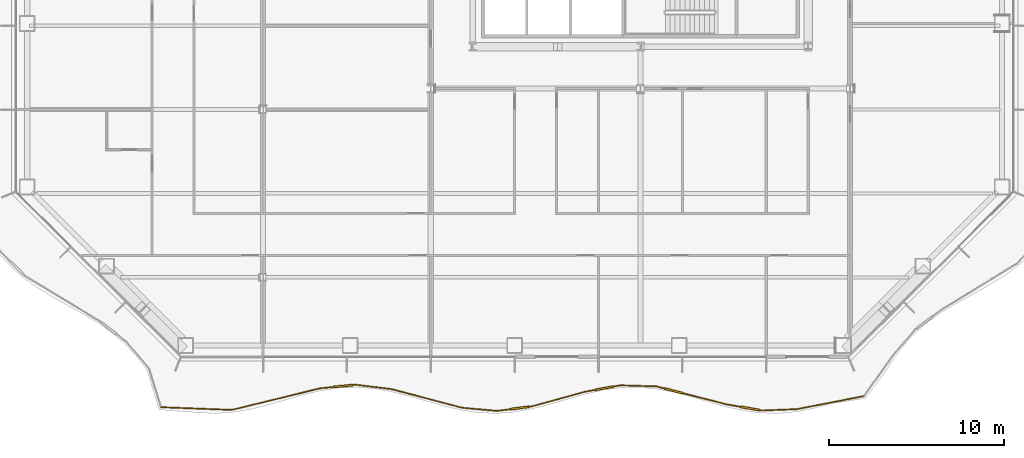
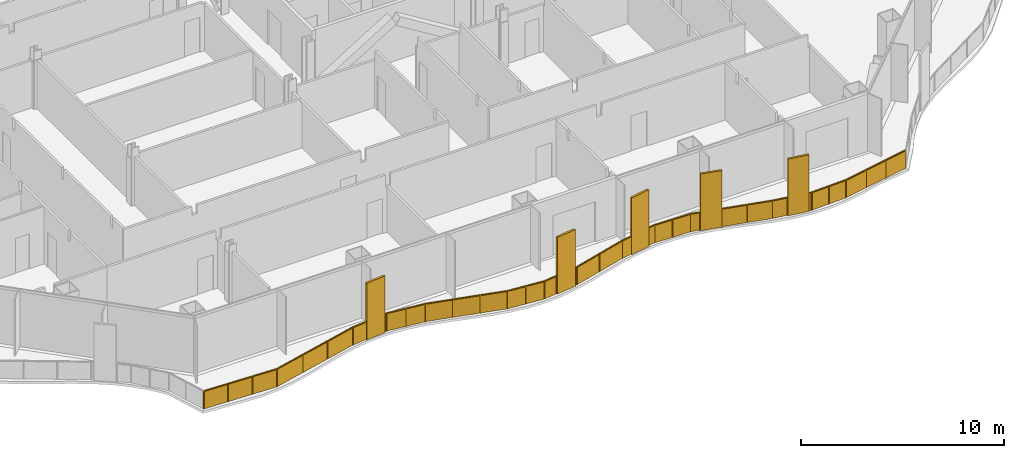
# One storey, part 13 of 18: 1 railing.
"""IFC4 building model written with IfcOpenShell, lengths in metres."""

from ifc_helpers import new_model, si_unit, direction, frame, origin, origin_2d, place, context, subcontext, project, spatial, polyline, rectangle, outline, extrude, material, type_object, element, save


model = new_model("IFC4")

# Units and contexts
model_context = context("Model", 3, precision=1e-05, world=origin(), true_north=direction((0.0, 1.0)))
body_context = subcontext(model_context, "Body", "Model", "MODEL_VIEW")
ifc_project = project(units=[si_unit("LENGTHUNIT", "METRE"), si_unit("AREAUNIT", "SQUARE_METRE"), si_unit("VOLUMEUNIT", "CUBIC_METRE"), si_unit("PLANEANGLEUNIT", "RADIAN"), si_unit("MASSUNIT", "GRAM", prefix="KILO")], contexts=[model_context])

# Site, building, storey
site_placement = place(None, origin())
site = spatial("IfcSite", under=ifc_project, at=site_placement, CompositionType="ELEMENT")
building_placement = place(site_placement, origin())
building = spatial("IfcBuilding", under=site, at=building_placement, Name="Cairn Pilgrim Tower", CompositionType="ELEMENT")
storey_placement = place(building_placement, frame((0.0, 0.0, 76.199951171875)))
storey = spatial("IfcBuildingStorey", under=building, at=storey_placement, Name="L17", CompositionType="ELEMENT", Elevation=76.199951171875)

# Railing
ifc_material = material(Name="Bronze anodised aluminium rail, posts and fin screens with laminated glass infill", Category="aluminium")
railing_type = type_object("IfcRailingType", Name="BALCONY GUARD WITH FIN SCREENS", PredefinedType="GUARDRAIL", material=ifc_material)
railing_placement = place(storey_placement, frame((-20.239990234375, -26.634521484375, 0.0)))
element("IfcRailing", 1, at=railing_placement, inside=storey, type_object=railing_type, Name="Balcony guard BGF-1 with fin screens", PredefinedType="GUARDRAIL", context=body_context, shape_type="SweptSolid", body=[
    extrude(rectangle(XDim=0.050048828125, YDim=0.050048828125, at=origin_2d()), frame((0.0, 0.0, 1.0751953125), z_axis=(0.999279625134, -0.037950372763, 0.0), x_axis=(0.037950372763, 0.999279625134, 0.0)), (0.0, 0.0, 1.0), 4.059326171875),
    extrude(rectangle(XDim=0.050048828125, YDim=0.050048828125, at=origin_2d()), frame((4.056396484375, -0.154052734375, 1.0751953125), z_axis=(0.971320368438, 0.237774560997, 0.0), x_axis=(-0.237774560997, 0.971320368438, 0.0)), (0.0, 0.0, 1.0), 5.19140625),
    extrude(rectangle(XDim=1.10009765625, YDim=0.110107421875, at=origin_2d()), frame((10.450439453125, 1.215087890625, 0.0), z_axis=(0.0, 0.0, 1.0), x_axis=(0.995059478864, 0.099280579784, 0.0)), (0.0, 0.0, 1.0), 3.39990234375),
    extrude(rectangle(XDim=0.050048828125, YDim=0.050048828125, at=origin_2d()), frame((9.098876953125, 1.080322265625, 1.0751953125), z_axis=(0.995059478864, 0.099280579784, 0.0), x_axis=(-0.099280579784, 0.995059478864, 0.0)), (0.0, 0.0, 1.0), 0.80810546875),
    extrude(rectangle(XDim=0.050048828125, YDim=0.050048828125, at=origin_2d()), frame((10.99755859375, 1.269775390625, 1.0751953125), z_axis=(0.995059478864, 0.099280579784, 0.0), x_axis=(-0.099280579784, 0.995059478864, 0.0)), (0.0, 0.0, 1.0), 0.150146484375),
    extrude(rectangle(XDim=0.050048828125, YDim=0.050048828125, at=origin_2d()), frame((11.14697265625, 1.28466796875, 1.0751953125), z_axis=(0.992685716398, -0.120727248209, 0.0), x_axis=(0.120727248209, 0.992685716398, 0.0)), (0.0, 0.0, 1.0), 2.062744140625),
    extrude(rectangle(XDim=0.050048828125, YDim=0.050048828125, at=origin_2d()), frame((13.194580078125, 1.03564453125, 1.0751953125), z_axis=(0.966840271951, -0.255381848483, 0.0), x_axis=(0.255381848483, 0.966840271951, 0.0)), (0.0, 0.0, 1.0), 4.1787109375),
    extrude(rectangle(XDim=0.050048828125, YDim=0.050048828125, at=origin_2d()), frame((17.234619140625, -0.031494140625, 1.0751953125), z_axis=(0.99590120662, -0.090447701202, 0.0), x_axis=(0.090447701202, 0.99590120662, 0.0)), (0.0, 0.0, 1.0), 2.000244140625),
    extrude(rectangle(XDim=1.10009765625, YDim=0.110107421875, at=origin_2d()), frame((20.526611328125, -0.043212890625, 0.0), z_axis=(0.0, 0.0, 1.0), x_axis=(0.991637604032, 0.129053718546, 0.0)), (0.0, 0.0, 1.0), 3.39990234375),
    extrude(rectangle(XDim=0.050048828125, YDim=0.050048828125, at=origin_2d()), frame((19.2265625, -0.21240234375, 1.0751953125), z_axis=(0.991637604032, 0.129053718546, 0.0), x_axis=(-0.129053718546, 0.991637604032, 0.0)), (0.0, 0.0, 1.0), 0.76123046875),
    extrude(rectangle(XDim=0.050048828125, YDim=0.050048828125, at=origin_2d()), frame((21.072021484375, 0.02783203125, 1.0751953125), z_axis=(0.991637604032, 0.129053718546, 0.0), x_axis=(-0.129053718546, 0.991637604032, 0.0)), (0.0, 0.0, 1.0), 0.14990234375),
    extrude(rectangle(XDim=0.050048828125, YDim=0.050048828125, at=origin_2d()), frame((21.220703125, 0.047119140625, 1.0751953125), z_axis=(0.964002923343, 0.265891639181, 0.0), x_axis=(-0.265891639181, 0.964002923343, 0.0)), (0.0, 0.0, 1.0), 3.14111328125),
    extrude(rectangle(XDim=1.10009765625, YDim=0.110107421875, at=origin_2d()), frame((25.3671875, 1.08544921875, 0.0), z_axis=(0.0, 0.0, 1.0), x_axis=(0.983883074468, 0.178813019031, 0.0)), (0.0, 0.0, 1.0), 3.39990234375),
    extrude(rectangle(XDim=0.050048828125, YDim=0.050048828125, at=origin_2d()), frame((24.248779296875, 0.88232421875, 1.0751953125), z_axis=(0.983883074468, 0.178813019031, 0.0), x_axis=(-0.178813019031, 0.983883074468, 0.0)), (0.0, 0.0, 1.0), 0.586669921875),
    extrude(rectangle(XDim=0.050048828125, YDim=0.050048828125, at=origin_2d()), frame((25.908203125, 1.183837890625, 1.0751953125), z_axis=(0.983883074468, 0.178813019031, 0.0), x_axis=(-0.178813019031, 0.983883074468, 0.0)), (0.0, 0.0, 1.0), 0.39013671875),
    extrude(rectangle(XDim=0.050048828125, YDim=0.050048828125, at=origin_2d()), frame((26.2919921875, 1.253662109375, 1.0751953125), z_axis=(0.999529769264, -0.030663338938, 0.0), x_axis=(0.030663338938, 0.999529769264, 0.0)), (0.0, 0.0, 1.0), 2.05419921875),
    extrude(rectangle(XDim=1.10009765625, YDim=0.110107421875, at=origin_2d()), frame((29.34375, 0.936279296875, 0.0), z_axis=(0.0, 0.0, 1.0), x_axis=(0.969044118646, -0.246887618396, 0.0)), (0.0, 0.0, 1.0), 3.39990234375),
    extrude(rectangle(XDim=0.050048828125, YDim=0.050048828125, at=origin_2d()), frame((28.34521484375, 1.190673828125, 1.0751953125), z_axis=(0.969044118646, -0.246887618396, 0.0), x_axis=(0.246887618396, 0.969044118646, 0.0)), (0.0, 0.0, 1.0), 0.480224609375),
    extrude(rectangle(XDim=0.050048828125, YDim=0.050048828125, at=origin_2d()), frame((29.876708984375, 0.800537109375, 1.0751953125), z_axis=(0.969044118646, -0.246887618396, 0.0), x_axis=(0.246887618396, 0.969044118646, 0.0)), (0.0, 0.0, 1.0), 2.6015625),
    extrude(rectangle(XDim=1.10009765625, YDim=0.110107421875, at=origin_2d()), frame((33.707763671875, -0.0703125, 0.0), z_axis=(0.0, 0.0, 1.0), x_axis=(0.985141053215, -0.171747213282, 0.0)), (0.0, 0.0, 1.0), 3.39990234375),
    extrude(rectangle(XDim=0.050048828125, YDim=0.050048828125, at=origin_2d()), frame((32.397705078125, 0.158203125, 1.0751953125), z_axis=(0.985141053215, -0.171747213282, 0.0), x_axis=(0.171747213282, 0.985141053215, 0.0)), (0.0, 0.0, 1.0), 0.77978515625),
    extrude(rectangle(XDim=0.050048828125, YDim=0.050048828125, at=origin_2d()), frame((34.249755859375, -0.16455078125, 1.0751953125), z_axis=(0.985141053215, -0.171747213282, 0.0), x_axis=(0.171747213282, 0.985141053215, 0.0)), (0.0, 0.0, 1.0), 0.150146484375),
    extrude(rectangle(XDim=0.050048828125, YDim=0.050048828125, at=origin_2d()), frame((34.3974609375, -0.1904296875, 1.0751953125), z_axis=(0.999194102013, 0.040139089462, 0.0), x_axis=(-0.040139089462, 0.999194102013, 0.0)), (0.0, 0.0, 1.0), 1.9951171875),
    extrude(rectangle(XDim=0.050048828125, YDim=0.050048828125, at=origin_2d()), frame((36.390869140625, -0.1103515625, 1.0751953125), z_axis=(0.981596937428, 0.190964531869, 0.0), x_axis=(-0.190964531869, 0.981596937428, 0.0)), (0.0, 0.0, 1.0), 3.857177734375),
    extrude(rectangle(XDim=0.050048828125, YDim=0.050048828125, at=origin_2d()), origin(), (0.0, 0.0, 1.0), 1.050048828125),
    extrude(rectangle(XDim=0.050048828125, YDim=0.050048828125, at=origin_2d()), frame((1.35205078125, -0.05126953125, 0.0)), (0.0, 0.0, 1.0), 1.050048828125),
    extrude(rectangle(XDim=0.050048828125, YDim=0.050048828125, at=origin_2d()), frame((2.704345703125, -0.102783203125, 0.0)), (0.0, 0.0, 1.0), 1.050048828125),
    extrude(rectangle(XDim=0.050048828125, YDim=0.050048828125, at=origin_2d()), frame((4.056396484375, -0.154052734375, 0.0)), (0.0, 0.0, 1.0), 1.050048828125),
    extrude(rectangle(XDim=0.050048828125, YDim=0.050048828125, at=origin_2d()), frame((5.7373046875, 0.25732421875, 0.0)), (0.0, 0.0, 1.0), 1.050048828125),
    extrude(rectangle(XDim=0.050048828125, YDim=0.050048828125, at=origin_2d()), frame((7.41796875, 0.6689453125, 0.0)), (0.0, 0.0, 1.0), 1.050048828125),
    extrude(rectangle(XDim=0.050048828125, YDim=0.050048828125, at=origin_2d()), frame((9.098876953125, 1.080322265625, 0.0)), (0.0, 0.0, 1.0), 1.050048828125),
    extrude(rectangle(XDim=0.050048828125, YDim=0.050048828125, at=origin_2d()), frame((9.878173828125, 1.157958984375, 0.0)), (0.0, 0.0, 1.0), 1.050048828125),
    extrude(rectangle(XDim=0.050048828125, YDim=0.050048828125, at=origin_2d()), frame((11.0224609375, 1.272216796875, 0.0)), (0.0, 0.0, 1.0), 1.050048828125),
    extrude(rectangle(XDim=0.050048828125, YDim=0.050048828125, at=origin_2d()), frame((11.14697265625, 1.28466796875, 0.0)), (0.0, 0.0, 1.0), 1.050048828125),
    extrude(rectangle(XDim=0.050048828125, YDim=0.050048828125, at=origin_2d()), frame((12.1708984375, 1.16015625, 0.0)), (0.0, 0.0, 1.0), 1.050048828125),
    extrude(rectangle(XDim=0.050048828125, YDim=0.050048828125, at=origin_2d()), frame((13.194580078125, 1.03564453125, 0.0)), (0.0, 0.0, 1.0), 1.050048828125),
    extrude(rectangle(XDim=0.050048828125, YDim=0.050048828125, at=origin_2d()), frame((14.541259765625, 0.679931640625, 0.0)), (0.0, 0.0, 1.0), 1.050048828125),
    extrude(rectangle(XDim=0.050048828125, YDim=0.050048828125, at=origin_2d()), frame((15.887939453125, 0.32421875, 0.0)), (0.0, 0.0, 1.0), 1.050048828125),
    extrude(rectangle(XDim=0.050048828125, YDim=0.050048828125, at=origin_2d()), frame((17.234619140625, -0.031494140625, 0.0)), (0.0, 0.0, 1.0), 1.050048828125),
    extrude(rectangle(XDim=0.050048828125, YDim=0.050048828125, at=origin_2d()), frame((18.23046875, -0.1220703125, 0.0)), (0.0, 0.0, 1.0), 1.050048828125),
    extrude(rectangle(XDim=0.050048828125, YDim=0.050048828125, at=origin_2d()), frame((19.2265625, -0.21240234375, 0.0)), (0.0, 0.0, 1.0), 1.050048828125),
    extrude(rectangle(XDim=0.050048828125, YDim=0.050048828125, at=origin_2d()), frame((19.95654296875, -0.117431640625, 0.0)), (0.0, 0.0, 1.0), 1.050048828125),
    extrude(rectangle(XDim=0.050048828125, YDim=0.050048828125, at=origin_2d()), frame((21.096923828125, 0.031005859375, 0.0)), (0.0, 0.0, 1.0), 1.050048828125),
    extrude(rectangle(XDim=0.050048828125, YDim=0.050048828125, at=origin_2d()), frame((21.220703125, 0.047119140625, 0.0)), (0.0, 0.0, 1.0), 1.050048828125),
    extrude(rectangle(XDim=0.050048828125, YDim=0.050048828125, at=origin_2d()), frame((22.73486328125, 0.464599609375, 0.0)), (0.0, 0.0, 1.0), 1.050048828125),
    extrude(rectangle(XDim=0.050048828125, YDim=0.050048828125, at=origin_2d()), frame((24.248779296875, 0.88232421875, 0.0)), (0.0, 0.0, 1.0), 1.050048828125),
    extrude(rectangle(XDim=0.050048828125, YDim=0.050048828125, at=origin_2d()), frame((24.80126953125, 0.982666015625, 0.0)), (0.0, 0.0, 1.0), 1.050048828125),
    extrude(rectangle(XDim=0.050048828125, YDim=0.050048828125, at=origin_2d()), frame((25.932861328125, 1.1884765625, 0.0)), (0.0, 0.0, 1.0), 1.050048828125),
    extrude(rectangle(XDim=0.050048828125, YDim=0.050048828125, at=origin_2d()), frame((26.2919921875, 1.253662109375, 0.0)), (0.0, 0.0, 1.0), 1.050048828125),
    extrude(rectangle(XDim=0.050048828125, YDim=0.050048828125, at=origin_2d()), frame((27.318603515625, 1.22216796875, 0.0)), (0.0, 0.0, 1.0), 1.050048828125),
    extrude(rectangle(XDim=0.050048828125, YDim=0.050048828125, at=origin_2d()), frame((28.34521484375, 1.190673828125, 0.0)), (0.0, 0.0, 1.0), 1.050048828125),
    extrude(rectangle(XDim=0.050048828125, YDim=0.050048828125, at=origin_2d()), frame((28.786376953125, 1.078369140625, 0.0)), (0.0, 0.0, 1.0), 1.050048828125),
    extrude(rectangle(XDim=0.050048828125, YDim=0.050048828125, at=origin_2d()), frame((29.90087890625, 0.79443359375, 0.0)), (0.0, 0.0, 1.0), 1.050048828125),
    extrude(rectangle(XDim=0.050048828125, YDim=0.050048828125, at=origin_2d()), frame((31.149169921875, 0.476318359375, 0.0)), (0.0, 0.0, 1.0), 1.050048828125),
    extrude(rectangle(XDim=0.050048828125, YDim=0.050048828125, at=origin_2d()), frame((32.397705078125, 0.158203125, 0.0)), (0.0, 0.0, 1.0), 1.050048828125),
    extrude(rectangle(XDim=0.050048828125, YDim=0.050048828125, at=origin_2d()), frame((33.141357421875, 0.028564453125, 0.0)), (0.0, 0.0, 1.0), 1.050048828125),
    extrude(rectangle(XDim=0.050048828125, YDim=0.050048828125, at=origin_2d()), frame((34.2744140625, -0.1689453125, 0.0)), (0.0, 0.0, 1.0), 1.050048828125),
    extrude(rectangle(XDim=0.050048828125, YDim=0.050048828125, at=origin_2d()), frame((34.3974609375, -0.1904296875, 0.0)), (0.0, 0.0, 1.0), 1.050048828125),
    extrude(rectangle(XDim=0.050048828125, YDim=0.050048828125, at=origin_2d()), frame((35.39404296875, -0.150390625, 0.0)), (0.0, 0.0, 1.0), 1.050048828125),
    extrude(rectangle(XDim=0.050048828125, YDim=0.050048828125, at=origin_2d()), frame((36.390869140625, -0.1103515625, 0.0)), (0.0, 0.0, 1.0), 1.050048828125),
    extrude(rectangle(XDim=0.050048828125, YDim=0.050048828125, at=origin_2d()), frame((37.65283203125, 0.13525390625, 0.0)), (0.0, 0.0, 1.0), 1.050048828125),
    extrude(rectangle(XDim=0.050048828125, YDim=0.050048828125, at=origin_2d()), frame((38.9150390625, 0.380615234375, 0.0)), (0.0, 0.0, 1.0), 1.050048828125),
    extrude(rectangle(XDim=0.050048828125, YDim=0.050048828125, at=origin_2d()), frame((40.177001953125, 0.626220703125, 0.0)), (0.0, 0.0, 1.0), 1.050048828125),
    extrude(outline(polyline([(0.02490234375, 0.0), (1.328125, 0.0), (1.328125, 1.050048828125), (0.02490234375, 1.050048828125), (0.02490234375, 0.0)])), frame((0.000244140625, 0.005859375, 0.0), z_axis=(-0.037950372763, -0.999279625134, 0.0), x_axis=(0.999279625134, -0.037950372763, 0.0)), (0.0, 0.0, 1.0), 0.011962890625),
    extrude(outline(polyline([(0.02490234375, 0.0), (1.328125, 0.0), (1.328125, 1.050048828125), (0.02490234375, 1.050048828125), (0.02490234375, 0.0)])), frame((1.352294921875, -0.04541015625, 0.0), z_axis=(-0.037950372763, -0.999279625134, 0.0), x_axis=(0.999279625134, -0.037950372763, 0.0)), (0.0, 0.0, 1.0), 0.011962890625),
    extrude(outline(polyline([(0.02490234375, 0.0), (1.328125, 0.0), (1.328125, 1.050048828125), (0.02490234375, 1.050048828125), (0.02490234375, 0.0)])), frame((2.70458984375, -0.0966796875, 0.0), z_axis=(-0.037950372763, -0.999279625134, 0.0), x_axis=(0.999279625134, -0.037950372763, 0.0)), (0.0, 0.0, 1.0), 0.011962890625),
    extrude(outline(polyline([(0.02490234375, 0.0), (1.705322265625, 0.0), (1.705322265625, 1.050048828125), (0.02490234375, 1.050048828125), (0.02490234375, 0.0)])), frame((4.054931640625, -0.148193359375, 0.0), z_axis=(0.237774560997, -0.971320368438, 0.0), x_axis=(0.971320368438, 0.237774560997, 0.0)), (0.0, 0.0, 1.0), 0.011962890625),
    extrude(outline(polyline([(0.02490234375, 0.0), (1.705322265625, 0.0), (1.705322265625, 1.050048828125), (0.02490234375, 1.050048828125), (0.02490234375, 0.0)])), frame((5.73583984375, 0.26318359375, 0.0), z_axis=(0.237774560997, -0.971320368438, 0.0), x_axis=(0.971320368438, 0.237774560997, 0.0)), (0.0, 0.0, 1.0), 0.011962890625),
    extrude(outline(polyline([(0.02490234375, 0.0), (1.705322265625, 0.0), (1.705322265625, 1.050048828125), (0.02490234375, 1.050048828125), (0.02490234375, 0.0)])), frame((7.416748046875, 0.674560546875, 0.0), z_axis=(0.237774560997, -0.971320368438, 0.0), x_axis=(0.971320368438, 0.237774560997, 0.0)), (0.0, 0.0, 1.0), 0.011962890625),
    extrude(outline(polyline([(0.02490234375, 0.0), (0.758056640625, 0.0), (0.758056640625, 1.050048828125), (0.02490234375, 1.050048828125), (0.02490234375, 0.0)])), frame((9.098388671875, 1.086181640625, 0.0), z_axis=(0.099280579784, -0.995059478864, 0.0), x_axis=(0.995059478864, 0.099280579784, 0.0)), (0.0, 0.0, 1.0), 0.011962890625),
    extrude(outline(polyline([(0.02490234375, 0.0), (0.10009765625, 0.0), (0.10009765625, 1.050048828125), (0.02490234375, 1.050048828125), (0.02490234375, 0.0)])), frame((11.02197265625, 1.2783203125, 0.0), z_axis=(0.099280579784, -0.995059478864, 0.0), x_axis=(0.995059478864, 0.099280579784, 0.0)), (0.0, 0.0, 1.0), 0.011962890625),
    extrude(outline(polyline([(0.02490234375, 0.0), (1.00634765625, 0.0), (1.00634765625, 1.050048828125), (0.02490234375, 1.050048828125), (0.02490234375, 0.0)])), frame((11.147705078125, 1.29052734375, 0.0), z_axis=(-0.120727248209, -0.992685716398, 0.0), x_axis=(0.992685716398, -0.120727248209, 0.0)), (0.0, 0.0, 1.0), 0.011962890625),
    extrude(outline(polyline([(0.02490234375, 0.0), (1.00634765625, 0.0), (1.00634765625, 1.050048828125), (0.02490234375, 1.050048828125), (0.02490234375, 0.0)])), frame((12.17138671875, 1.166015625, 0.0), z_axis=(-0.120727248209, -0.992685716398, 0.0), x_axis=(0.992685716398, -0.120727248209, 0.0)), (0.0, 0.0, 1.0), 0.011962890625),
    extrude(outline(polyline([(0.02490234375, 0.0), (1.367919921875, 0.0), (1.367919921875, 1.050048828125), (0.02490234375, 1.050048828125), (0.02490234375, 0.0)])), frame((13.196044921875, 1.04150390625, 0.0), z_axis=(-0.255381848483, -0.966840271951, 0.0), x_axis=(0.966840271951, -0.255381848483, 0.0)), (0.0, 0.0, 1.0), 0.011962890625),
    extrude(outline(polyline([(0.02490234375, 0.0), (1.367919921875, 0.0), (1.367919921875, 1.050048828125), (0.02490234375, 1.050048828125), (0.02490234375, 0.0)])), frame((14.542724609375, 0.685791015625, 0.0), z_axis=(-0.255381848483, -0.966840271951, 0.0), x_axis=(0.966840271951, -0.255381848483, 0.0)), (0.0, 0.0, 1.0), 0.011962890625),
    extrude(outline(polyline([(0.02490234375, 0.0), (1.367919921875, 0.0), (1.367919921875, 1.050048828125), (0.02490234375, 1.050048828125), (0.02490234375, 0.0)])), frame((15.889404296875, 0.330078125, 0.0), z_axis=(-0.255381848483, -0.966840271951, 0.0), x_axis=(0.966840271951, -0.255381848483, 0.0)), (0.0, 0.0, 1.0), 0.011962890625),
    extrude(outline(polyline([(0.02490234375, 0.0), (0.97509765625, 0.0), (0.97509765625, 1.050048828125), (0.02490234375, 1.050048828125), (0.02490234375, 0.0)])), frame((17.235107421875, -0.025634765625, 0.0), z_axis=(-0.090447701202, -0.99590120662, 0.0), x_axis=(0.99590120662, -0.090447701202, 0.0)), (0.0, 0.0, 1.0), 0.011962890625),
    extrude(outline(polyline([(0.02490234375, 0.0), (0.97509765625, 0.0), (0.97509765625, 1.050048828125), (0.02490234375, 1.050048828125), (0.02490234375, 0.0)])), frame((18.231201171875, -0.115966796875, 0.0), z_axis=(-0.090447701202, -0.99590120662, 0.0), x_axis=(0.99590120662, -0.090447701202, 0.0)), (0.0, 0.0, 1.0), 0.011962890625),
    extrude(outline(polyline([(0.02490234375, 0.0), (0.711181640625, 0.0), (0.711181640625, 1.050048828125), (0.02490234375, 1.050048828125), (0.02490234375, 0.0)])), frame((19.225830078125, -0.20654296875, 0.0), z_axis=(0.129053718546, -0.991637604032, 0.0), x_axis=(0.991637604032, 0.129053718546, 0.0)), (0.0, 0.0, 1.0), 0.011962890625),
    extrude(outline(polyline([(0.02490234375, 0.0), (0.099853515625, 0.0), (0.099853515625, 1.050048828125), (0.02490234375, 1.050048828125), (0.02490234375, 0.0)])), frame((21.09619140625, 0.036865234375, 0.0), z_axis=(0.129053718546, -0.991637604032, 0.0), x_axis=(0.991637604032, 0.129053718546, 0.0)), (0.0, 0.0, 1.0), 0.011962890625),
    extrude(outline(polyline([(0.02490234375, 0.0), (1.545654296875, 0.0), (1.545654296875, 1.050048828125), (0.02490234375, 1.050048828125), (0.02490234375, 0.0)])), frame((21.218994140625, 0.052978515625, 0.0), z_axis=(0.265891639181, -0.964002923343, 0.0), x_axis=(0.964002923343, 0.265891639181, 0.0)), (0.0, 0.0, 1.0), 0.011962890625),
    extrude(outline(polyline([(0.02490234375, 0.0), (1.545654296875, 0.0), (1.545654296875, 1.050048828125), (0.02490234375, 1.050048828125), (0.02490234375, 0.0)])), frame((22.733154296875, 0.470458984375, 0.0), z_axis=(0.265891639181, -0.964002923343, 0.0), x_axis=(0.964002923343, 0.265891639181, 0.0)), (0.0, 0.0, 1.0), 0.011962890625),
    extrude(outline(polyline([(0.02490234375, 0.0), (0.53662109375, 0.0), (0.53662109375, 1.050048828125), (0.02490234375, 1.050048828125), (0.02490234375, 0.0)])), frame((24.247802734375, 0.88818359375, 0.0), z_axis=(0.178813019031, -0.983883074468, 0.0), x_axis=(0.983883074468, 0.178813019031, 0.0)), (0.0, 0.0, 1.0), 0.011962890625),
    extrude(outline(polyline([(0.02490234375, 0.0), (0.340087890625, 0.0), (0.340087890625, 1.050048828125), (0.02490234375, 1.050048828125), (0.02490234375, 0.0)])), frame((25.931640625, 1.1943359375, 0.0), z_axis=(0.178813019031, -0.983883074468, 0.0), x_axis=(0.983883074468, 0.178813019031, 0.0)), (0.0, 0.0, 1.0), 0.011962890625),
    extrude(outline(polyline([(0.02490234375, 0.0), (1.001953125, 0.0), (1.001953125, 1.050048828125), (0.02490234375, 1.050048828125), (0.02490234375, 0.0)])), frame((26.292236328125, 1.259521484375, 0.0), z_axis=(-0.030663338938, -0.999529769264, 0.0), x_axis=(0.999529769264, -0.030663338938, 0.0)), (0.0, 0.0, 1.0), 0.011962890625),
    extrude(outline(polyline([(0.02490234375, 0.0), (1.001953125, 0.0), (1.001953125, 1.050048828125), (0.02490234375, 1.050048828125), (0.02490234375, 0.0)])), frame((27.31884765625, 1.22802734375, 0.0), z_axis=(-0.030663338938, -0.999529769264, 0.0), x_axis=(0.999529769264, -0.030663338938, 0.0)), (0.0, 0.0, 1.0), 0.011962890625),
    extrude(outline(polyline([(0.02490234375, 0.0), (0.43017578125, 0.0), (0.43017578125, 1.050048828125), (0.02490234375, 1.050048828125), (0.02490234375, 0.0)])), frame((28.3466796875, 1.196533203125, 0.0), z_axis=(-0.246887618396, -0.969044118646, 0.0), x_axis=(0.969044118646, -0.246887618396, 0.0)), (0.0, 0.0, 1.0), 0.011962890625),
    extrude(outline(polyline([(0.02490234375, 0.0), (1.26318359375, 0.0), (1.26318359375, 1.050048828125), (0.02490234375, 1.050048828125), (0.02490234375, 0.0)])), frame((29.90234375, 0.800048828125, 0.0), z_axis=(-0.246887618396, -0.969044118646, 0.0), x_axis=(0.969044118646, -0.246887618396, 0.0)), (0.0, 0.0, 1.0), 0.011962890625),
    extrude(outline(polyline([(0.02490234375, 0.0), (1.26318359375, 0.0), (1.26318359375, 1.050048828125), (0.02490234375, 1.050048828125), (0.02490234375, 0.0)])), frame((31.15087890625, 0.482177734375, 0.0), z_axis=(-0.246887618396, -0.969044118646, 0.0), x_axis=(0.969044118646, -0.246887618396, 0.0)), (0.0, 0.0, 1.0), 0.011962890625),
    extrude(outline(polyline([(0.02490234375, 0.0), (0.729736328125, 0.0), (0.729736328125, 1.050048828125), (0.02490234375, 1.050048828125), (0.02490234375, 0.0)])), frame((32.398681640625, 0.1640625, 0.0), z_axis=(-0.171747213282, -0.985141053215, 0.0), x_axis=(0.985141053215, -0.171747213282, 0.0)), (0.0, 0.0, 1.0), 0.011962890625),
    extrude(outline(polyline([(0.02490234375, 0.0), (0.10009765625, 0.0), (0.10009765625, 1.050048828125), (0.02490234375, 1.050048828125), (0.02490234375, 0.0)])), frame((34.275390625, -0.1630859375, 0.0), z_axis=(-0.171747213282, -0.985141053215, 0.0), x_axis=(0.985141053215, -0.171747213282, 0.0)), (0.0, 0.0, 1.0), 0.011962890625),
    extrude(outline(polyline([(0.02490234375, 0.0), (0.972412109375, 0.0), (0.972412109375, 1.050048828125), (0.02490234375, 1.050048828125), (0.02490234375, 0.0)])), frame((34.397216796875, -0.1845703125, 0.0), z_axis=(0.040139089462, -0.999194102013, 0.0), x_axis=(0.999194102013, 0.040139089462, 0.0)), (0.0, 0.0, 1.0), 0.011962890625),
    extrude(outline(polyline([(0.02490234375, 0.0), (0.972412109375, 0.0), (0.972412109375, 1.050048828125), (0.02490234375, 1.050048828125), (0.02490234375, 0.0)])), frame((35.39404296875, -0.14453125, 0.0), z_axis=(0.040139089462, -0.999194102013, 0.0), x_axis=(0.999194102013, 0.040139089462, 0.0)), (0.0, 0.0, 1.0), 0.011962890625),
    extrude(outline(polyline([(0.02490234375, 0.0), (1.2607421875, 0.0), (1.2607421875, 1.050048828125), (0.02490234375, 1.050048828125), (0.02490234375, 0.0)])), frame((36.3896484375, -0.1044921875, 0.0), z_axis=(0.190964531869, -0.981596937428, 0.0), x_axis=(0.981596937428, 0.190964531869, 0.0)), (0.0, 0.0, 1.0), 0.011962890625),
    extrude(outline(polyline([(0.02490234375, 0.0), (1.2607421875, 0.0), (1.2607421875, 1.050048828125), (0.02490234375, 1.050048828125), (0.02490234375, 0.0)])), frame((37.65185546875, 0.14111328125, 0.0), z_axis=(0.190964531869, -0.981596937428, 0.0), x_axis=(0.981596937428, 0.190964531869, 0.0)), (0.0, 0.0, 1.0), 0.011962890625),
    extrude(outline(polyline([(0.02490234375, 0.0), (1.2607421875, 0.0), (1.2607421875, 1.050048828125), (0.02490234375, 1.050048828125), (0.02490234375, 0.0)])), frame((38.913818359375, 0.386474609375, 0.0), z_axis=(0.190964531869, -0.981596937428, 0.0), x_axis=(0.981596937428, 0.190964531869, 0.0)), (0.0, 0.0, 1.0), 0.011962890625),
])

save(model, "model.ifc")
